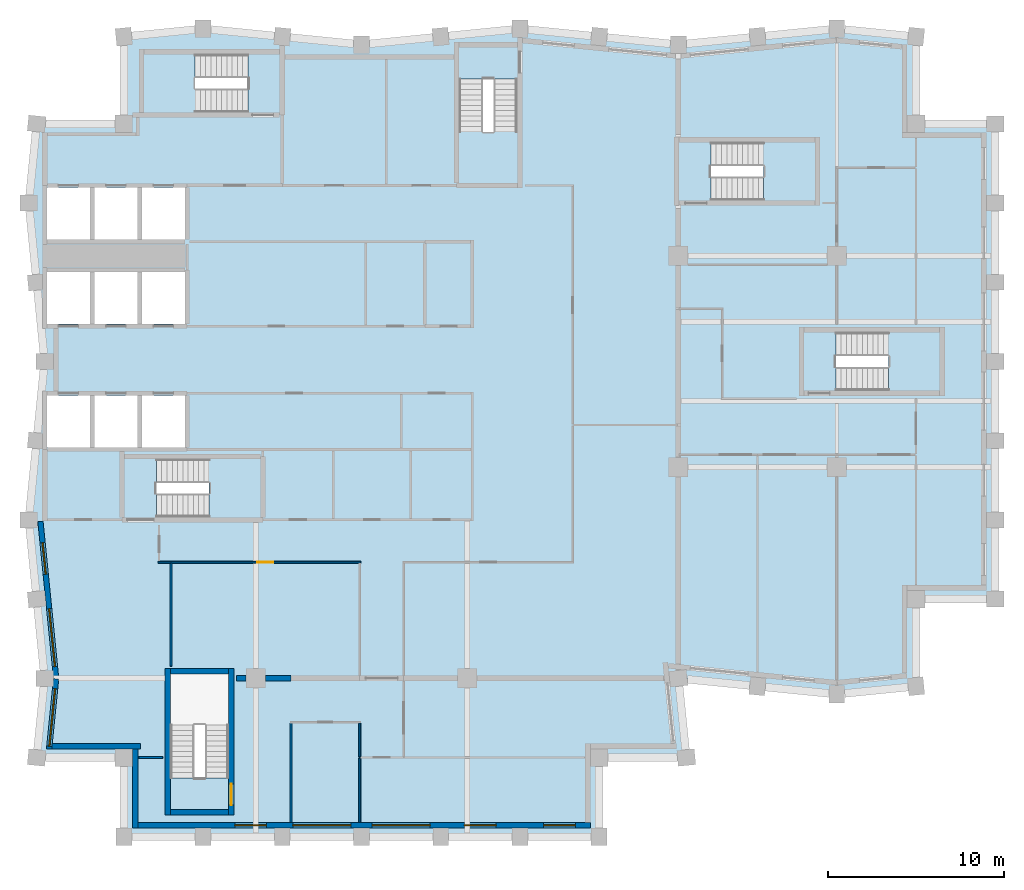
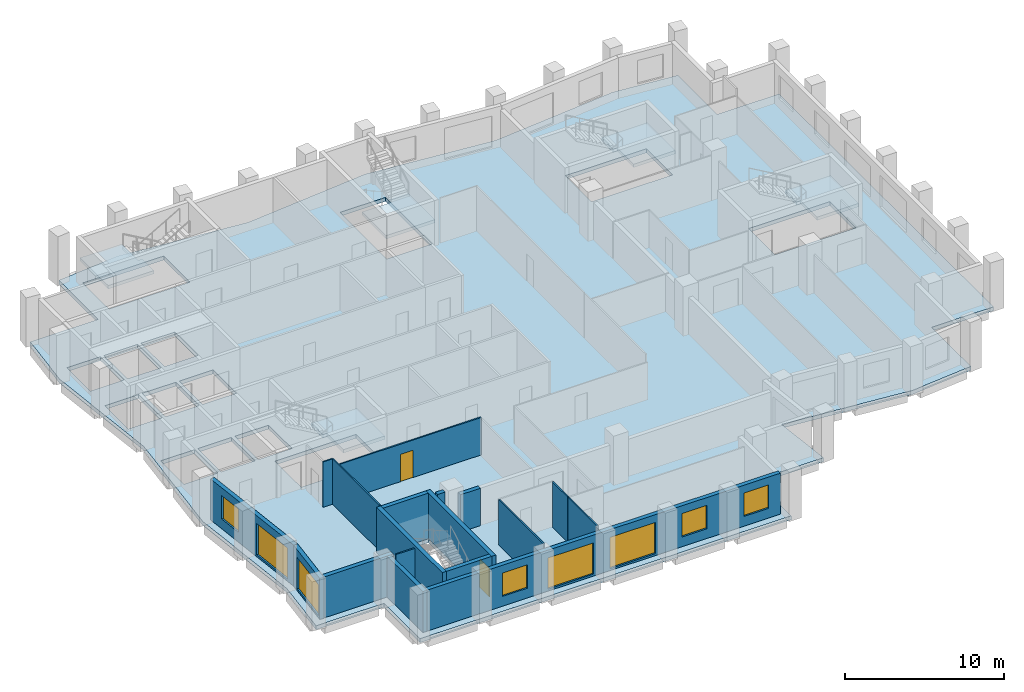
# One storey, part 2 of 8: 18 walls, 8 windows, 6 slabs, 2 doors, 10 openings, 5 elements without a shape of their own.
"""IFC4 building model written with IfcOpenShell, lengths in metres."""

from ifc_helpers import new_model, si_unit, direction, frame, frame_2d, origin, place, context, subcontext, project, spatial, polyline, rectangle, outline, extrude, material, layer, layer_set, type_object, element, fill, aggregate, save


model = new_model("IFC4")

# Units and contexts
model_context = context("Model", 3, precision=1e-05, world=origin(), true_north=direction((0.0, 1.0)))
body_context = subcontext(model_context, "Body", "Model", "MODEL_VIEW")
ifc_project = project(units=[si_unit("LENGTHUNIT", "METRE"), si_unit("AREAUNIT", "SQUARE_METRE"), si_unit("VOLUMEUNIT", "CUBIC_METRE"), si_unit("PLANEANGLEUNIT", "RADIAN"), si_unit("MASSUNIT", "GRAM", prefix="KILO")], contexts=[model_context])

# Site, building, storey
site_placement = place(None, origin())
site = spatial("IfcSite", under=ifc_project, at=site_placement, CompositionType="ELEMENT")
building_placement = place(site_placement, origin())
building = spatial("IfcBuilding", under=site, at=building_placement, Name="Brondeck Convention Tower", CompositionType="ELEMENT")
storey_placement = place(building_placement, frame((0.0, 0.0, 217.800048828125)))
storey = spatial("IfcBuildingStorey", under=building, at=storey_placement, Name="L53", CompositionType="ELEMENT", Elevation=217.800048828125)

# Slab
ifc_material_1 = material(Name="Concrete C35/45", Category="concrete")
ifc_layer_1 = layer(ifc_material_1, 0.300048828125)
ifc_layer_set_1 = layer_set([ifc_layer_1], Name="Composite floor slab 300")
slab_type_1 = type_object("IfcSlabType", Name="Composite floor slab 300", PredefinedType="FLOOR", material=ifc_layer_set_1)
slab_1_placement = place(storey_placement, frame((0.0, 0.0, -0.300048828125)))
element("IfcSlab", 1, at=slab_1_placement, inside=storey, type_object=slab_type_1, Name="STR-SL-L53", PredefinedType="FLOOR", context=body_context, shape_type="SweptSolid", body=[
    extrude(outline(polyline([(4.5, 22.5), (-0.449951171875, 22.5), (0.0, 27.0), (-0.89990234375, 36.0), (0.0, 45.0), (-0.89990234375, 54.0), (-0.449951171875, 58.5), (4.5, 58.5), (4.5, 63.449951171875), (9.0, 63.89990234375), (18.0, 63.0), (27.0, 63.89990234375), (36.0, 63.0), (45.0, 63.89990234375), (49.5, 63.449951171875), (49.5, 58.5), (54.0, 58.5), (54.0, 31.5), (49.5, 31.5), (49.5, 26.550048828125), (45.0, 26.10009765625), (36.0, 27.0), (36.449951171875, 22.5), (31.5, 22.5), (31.5, 18.0), (4.5, 18.0), (4.5, 22.5)]), holes=[polyline([(2.574951171875, 43.074951171875), (0.125, 43.074951171875), (0.125, 40.125), (2.574951171875, 40.125), (2.574951171875, 43.074951171875)]), polyline([(5.27490234375, 40.125), (5.27490234375, 43.074951171875), (2.824951171875, 43.074951171875), (2.824951171875, 40.125), (5.27490234375, 40.125)]), polyline([(7.97509765625, 40.125), (7.97509765625, 43.074951171875), (5.52490234375, 43.074951171875), (5.52490234375, 40.125), (7.97509765625, 40.125)]), polyline([(2.574951171875, 47.125), (2.574951171875, 50.074951171875), (0.125, 50.074951171875), (0.125, 47.125), (2.574951171875, 47.125)]), polyline([(5.27490234375, 47.125), (5.27490234375, 50.074951171875), (2.824951171875, 50.074951171875), (2.824951171875, 47.125), (5.27490234375, 47.125)]), polyline([(7.97509765625, 47.125), (7.97509765625, 50.074951171875), (5.52490234375, 50.074951171875), (5.52490234375, 47.125), (7.97509765625, 47.125)]), polyline([(2.574951171875, 51.925048828125), (2.574951171875, 54.875), (0.125, 54.875), (0.125, 51.925048828125), (2.574951171875, 51.925048828125)]), polyline([(5.27490234375, 51.925048828125), (5.27490234375, 54.875), (2.824951171875, 54.875), (2.824951171875, 51.925048828125), (5.27490234375, 51.925048828125)]), polyline([(10.447998046875, 27.248046875), (7.152099609375, 27.248046875), (7.152099609375, 21.35205078125), (10.447998046875, 21.35205078125), (10.447998046875, 27.248046875)]), polyline([(12.248046875, 36.152099609375), (12.248046875, 39.447998046875), (6.35205078125, 39.447998046875), (6.35205078125, 36.152099609375), (12.248046875, 36.152099609375)]), polyline([(50.847900390625, 43.35205078125), (50.847900390625, 46.64794921875), (44.951904296875, 46.64794921875), (44.951904296875, 43.35205078125), (50.847900390625, 43.35205078125)]), polyline([(7.97509765625, 51.925048828125), (7.97509765625, 54.875), (5.52490234375, 54.875), (5.52490234375, 51.925048828125), (7.97509765625, 51.925048828125)]), polyline([(43.748046875, 54.152099609375), (43.748046875, 57.447998046875), (37.85205078125, 57.447998046875), (37.85205078125, 54.152099609375), (43.748046875, 54.152099609375)]), polyline([(23.552001953125, 55.152099609375), (26.847900390625, 55.152099609375), (26.847900390625, 61.048095703125), (23.552001953125, 61.048095703125), (23.552001953125, 55.152099609375)]), polyline([(5.652099609375, 62.447998046875), (5.652099609375, 59.152099609375), (11.548095703125, 59.152099609375), (11.548095703125, 62.447998046875), (5.652099609375, 62.447998046875)])]), origin(), (0.0, 0.0, 1.0), 0.300048828125),
])

# Stair, slab
ifc_material_2 = material(Name="Precast concrete C50/60", Category="concrete")
stair_type = type_object("IfcStairType", Name="Core stair 22 risers 172.73 mm riser 300 mm going 1350 wide", PredefinedType="HALF_TURN_STAIR", material=ifc_material_2)
stair_1_placement = place(storey_placement, origin())
stair_1 = element("IfcStair", 2, at=stair_1_placement, inside=storey, type_object=stair_type, Name="ST-1 L53 stair", PredefinedType="HALF_TURN_STAIR")
ifc_layer_2 = layer(ifc_material_2, 0.25)
ifc_layer_set_2 = layer_set([ifc_layer_2], Name="Core stair landing 250 Precast concrete C50/60")
slab_type_2 = type_object("IfcSlabType", Name="Core stair landing 250 Precast concrete C50/60", PredefinedType="LANDING", material=ifc_layer_set_2)
slab_2_placement = place(storey_placement, frame((0.0, 0.0, 1.64990234375)))
slab_2 = element("IfcSlab", 3, at=slab_2_placement, type_object=slab_type_2, Name="ST-1 landing 1", PredefinedType="LANDING", context=body_context, shape_type="SweptSolid", body=[
    extrude(outline(polyline([(9.347900390625, 37.5), (9.35009765625, 37.5), (9.35009765625, 38.10009765625), (9.050048828125, 38.10009765625), (9.050048828125, 39.570068359375), (12.3701171875, 39.570068359375), (12.3701171875, 36.030029296875), (9.347900390625, 36.030029296875), (9.347900390625, 37.5)])), origin(), (0.0, 0.0, 1.0), 0.25),
])
aggregate(stair_1, [slab_2])

stair_2_placement = place(storey_placement, origin())
stair_2 = element("IfcStair", 4, at=stair_2_placement, inside=storey, type_object=stair_type, Name="ST-2 L53 stair", PredefinedType="HALF_TURN_STAIR")
slab_3_placement = place(storey_placement, frame((0.0, 0.0, 1.64990234375)))
slab_3 = element("IfcSlab", 5, at=slab_3_placement, type_object=slab_type_2, Name="ST-2 landing 1", PredefinedType="LANDING", context=body_context, shape_type="SweptSolid", body=[
    extrude(outline(polyline([(23.429931640625, 58.052001953125), (24.89990234375, 58.052001953125), (24.89990234375, 58.050048828125), (25.5, 58.050048828125), (25.5, 58.35009765625), (26.969970703125, 58.35009765625), (26.969970703125, 55.030029296875), (23.429931640625, 55.030029296875), (23.429931640625, 58.052001953125)])), origin(), (0.0, 0.0, 1.0), 0.25),
])
aggregate(stair_2, [slab_3])

stair_3_placement = place(storey_placement, origin())
stair_3 = element("IfcStair", 6, at=stair_3_placement, inside=storey, type_object=stair_type, Name="ST-3 L53 stair", PredefinedType="HALF_TURN_STAIR")
slab_4_placement = place(storey_placement, frame((0.0, 0.0, 1.64990234375)))
slab_4 = element("IfcSlab", 7, at=slab_4_placement, type_object=slab_type_2, Name="ST-3 landing 1", PredefinedType="LANDING", context=body_context, shape_type="SweptSolid", body=[
    extrude(outline(polyline([(8.85009765625, 60.5), (8.85009765625, 59.030029296875), (5.530029296875, 59.030029296875), (5.530029296875, 62.570068359375), (8.552001953125, 62.570068359375), (8.552001953125, 61.10009765625), (8.550048828125, 61.10009765625), (8.550048828125, 60.5), (8.85009765625, 60.5)])), origin(), (0.0, 0.0, 1.0), 0.25),
])
aggregate(stair_3, [slab_4])

stair_4_placement = place(storey_placement, origin())
stair_4 = element("IfcStair", 8, at=stair_4_placement, inside=storey, type_object=stair_type, Name="ST-AE L53 stair", PredefinedType="HALF_TURN_STAIR")
slab_5_placement = place(storey_placement, frame((0.0, 0.0, 1.64990234375)))
slab_5 = element("IfcSlab", 9, at=slab_5_placement, type_object=slab_type_2, Name="ST-AE landing 1", PredefinedType="LANDING", context=body_context, shape_type="SweptSolid", body=[
    extrude(outline(polyline([(40.847900390625, 55.5), (40.85009765625, 55.5), (40.85009765625, 56.10009765625), (40.550048828125, 56.10009765625), (40.550048828125, 57.570068359375), (43.8701171875, 57.570068359375), (43.8701171875, 54.030029296875), (40.847900390625, 54.030029296875), (40.847900390625, 55.5)])), origin(), (0.0, 0.0, 1.0), 0.25),
])
aggregate(stair_4, [slab_5])

stair_5_placement = place(storey_placement, origin())
stair_5 = element("IfcStair", 10, at=stair_5_placement, inside=storey, type_object=stair_type, Name="ST-AF L53 stair", PredefinedType="HALF_TURN_STAIR")
slab_6_placement = place(storey_placement, frame((0.0, 0.0, 1.64990234375)))
slab_6 = element("IfcSlab", 11, at=slab_6_placement, type_object=slab_type_2, Name="ST-AF landing 1", PredefinedType="LANDING", context=body_context, shape_type="SweptSolid", body=[
    extrude(outline(polyline([(47.947998046875, 44.699951171875), (47.949951171875, 44.699951171875), (47.949951171875, 45.300048828125), (47.64990234375, 45.300048828125), (47.64990234375, 46.77001953125), (50.969970703125, 46.77001953125), (50.969970703125, 43.22998046875), (47.947998046875, 43.22998046875), (47.947998046875, 44.699951171875)])), origin(), (0.0, 0.0, 1.0), 0.25),
])
aggregate(stair_5, [slab_6])

# Walls
ifc_material_3 = material(Name="Concrete compartment wall C30/37", Category="concrete")
ifc_layer_3 = layer(ifc_material_3, 0.300048828125)
ifc_layer_set_3 = layer_set([ifc_layer_3], Name="Compartment wall 300")
wall_type_1 = type_object("IfcWallType", Name="Compartment wall 300", PredefinedType="PARTITIONING", material=ifc_layer_set_3)
wall_1_placement = place(storey_placement, frame((10.89990234375, 27.0, 0.0), z_axis=(0.0, 0.0, 1.0), x_axis=(1.0, 0.0, 0.0)))
element("IfcWall", 12, at=wall_1_placement, inside=storey, type_object=wall_type_1, Name="FLR-L53-W013", PredefinedType="PARTITIONING", context=body_context, shape_type="SweptSolid", body=[
    extrude(rectangle(XDim=0.545166015625, YDim=0.300048828125, at=frame_2d((0.2724609375, 0.0))), origin(), (0.0, 0.0, 1.0), 3.47998046875),
])
wall_2_placement = place(storey_placement, frame((12.554931640625, 27.0, 0.0), z_axis=(0.0, 0.0, 1.0), x_axis=(1.0, 0.0, 0.0)))
element("IfcWall", 13, at=wall_2_placement, inside=storey, type_object=wall_type_1, Name="FLR-L53-W014", PredefinedType="PARTITIONING", context=body_context, shape_type="SweptSolid", body=[
    extrude(rectangle(XDim=1.445068359375, YDim=0.300048828125, at=frame_2d((0.72265625, 0.0))), origin(), (0.0, 0.0, 1.0), 2.8798828125),
])

# Wall, openings, windows
ifc_material_4 = material(Name="Precast concrete C50/60 bronze finish", Category="concrete")
ifc_layer_4 = layer(ifc_material_4, 0.070068359375, Name="Bronze precast facing")
ifc_material_5 = material(Name="Mineral wool")
ifc_layer_5 = layer(ifc_material_5, 0.159912109375, Name="Insulation")
ifc_layer_6 = layer(ifc_material_1, 0.070068359375, Name="Backing")
ifc_layer_set_4 = layer_set([ifc_layer_4, ifc_layer_5, ifc_layer_6], Name="External infill wall, precast concrete C50/60 bronze facing")
wall_type_2 = type_object("IfcWallType", Name="External infill wall, precast concrete C50/60 bronze facing", PredefinedType="SOLIDWALL", material=ifc_layer_set_4)
wall_3_placement = place(storey_placement, frame((31.0, 18.64990234375, 0.0), z_axis=(0.0, 0.0, 1.0), x_axis=(-1.0, 0.0, 0.0)))
wall_3 = element("IfcWall", 14, at=wall_3_placement, inside=storey, type_object=wall_type_2, Name="ENV-EW-L53-P2-B-S18-01", PredefinedType="SOLIDWALL", context=body_context, shape_type="SweptSolid", body=[
    extrude(rectangle(XDim=25.699951171875, YDim=0.300048828125, at=frame_2d((12.85009765625, 0.0))), origin(), (0.0, 0.0, 1.0), 3.14990234375),
])
opening_1_placement = place(wall_3_placement, frame((0.85009765625, 0.0, 0.75)))
opening_1 = element("IfcOpeningElement", 15, at=opening_1_placement, cuts=wall_3, Name="Opening W10", PredefinedType="OPENING", context=body_context, shape_type="SweptSolid", body=[
    extrude(rectangle(XDim=1.800048828125, YDim=1.800048828125, at=frame_2d((0.89990234375, 0.89990234375))), frame((0.0, 0.159912109375, 0.0), z_axis=(0.0, -1.0, 0.0), x_axis=(1.0, 0.0, 0.0)), (0.0, 0.0, 1.0), 0.320068359375),
])
opening_2_placement = place(wall_3_placement, frame((5.35009765625, 0.0, 0.75)))
opening_2 = element("IfcOpeningElement", 16, at=opening_2_placement, cuts=wall_3, Name="Opening W10", PredefinedType="OPENING", context=body_context, shape_type="SweptSolid", body=[
    extrude(rectangle(XDim=1.800048828125, YDim=1.800048828125, at=frame_2d((0.89990234375, 0.89990234375))), frame((0.0, 0.159912109375, 0.0), z_axis=(0.0, -1.0, 0.0), x_axis=(1.0, 0.0, 0.0)), (0.0, 0.0, 1.0), 0.320068359375),
])
opening_3_placement = place(wall_3_placement, frame((9.10009765625, 0.0, 0.14990234375)))
opening_3 = element("IfcOpeningElement", 17, at=opening_3_placement, cuts=wall_3, Name="Opening W9", PredefinedType="OPENING", context=body_context, shape_type="SweptSolid", body=[
    extrude(rectangle(XDim=3.300048828125, YDim=2.39990234375, at=frame_2d((1.64990234375, 1.199951171875))), frame((0.0, 0.159912109375, 0.0), z_axis=(0.0, -1.0, 0.0), x_axis=(1.0, 0.0, 0.0)), (0.0, 0.0, 1.0), 0.320068359375),
])
opening_4_placement = place(wall_3_placement, frame((13.60009765625, 0.0, 0.14990234375)))
opening_4 = element("IfcOpeningElement", 18, at=opening_4_placement, cuts=wall_3, Name="Opening W9", PredefinedType="OPENING", context=body_context, shape_type="SweptSolid", body=[
    extrude(rectangle(XDim=3.300048828125, YDim=2.39990234375, at=frame_2d((1.64990234375, 1.199951171875))), frame((0.0, 0.159912109375, 0.0), z_axis=(0.0, -1.0, 0.0), x_axis=(1.0, 0.0, 0.0)), (0.0, 0.0, 1.0), 0.320068359375),
])
opening_5_placement = place(wall_3_placement, frame((18.39990234375, 0.0, 0.75)))
opening_5 = element("IfcOpeningElement", 19, at=opening_5_placement, cuts=wall_3, Name="Opening W10", PredefinedType="OPENING", context=body_context, shape_type="SweptSolid", body=[
    extrude(rectangle(XDim=1.800048828125, YDim=1.800048828125, at=frame_2d((0.89990234375, 0.89990234375))), frame((0.0, 0.159912109375, 0.0), z_axis=(0.0, -1.0, 0.0), x_axis=(1.0, 0.0, 0.0)), (0.0, 0.0, 1.0), 0.320068359375),
])
ifc_material_6 = material(Name="Bronze tinted double glazing", Category="glass")
window_type_1 = type_object("IfcWindowType", Name="Glazed flute window, bronze tinted", PartitioningType="SINGLE_PANEL", PredefinedType="WINDOW", material=ifc_material_6)
window_1_placement = place(opening_3_placement, origin())
window_1 = element("IfcWindow", 20, at=window_1_placement, inside=storey, type_object=window_type_1, Name="ENV-WN-L53-P2-B-S18-04", OverallHeight=2.39990234375, OverallWidth=3.300048828125, PartitioningType="SINGLE_PANEL", PredefinedType="WINDOW", context=body_context, shape_type="SweptSolid", body=[
    extrude(rectangle(XDim=3.300048828125, YDim=2.39990234375, at=frame_2d((1.64990234375, 1.199951171875))), frame((0.0, 0.030029296875, 0.0), z_axis=(0.0, -1.0, 0.0), x_axis=(1.0, 0.0, 0.0)), (0.0, 0.0, 1.0), 0.06005859375),
])
fill(opening_3, window_1)
window_2_placement = place(opening_4_placement, origin())
window_2 = element("IfcWindow", 21, at=window_2_placement, inside=storey, type_object=window_type_1, Name="ENV-WN-L53-P2-B-S18-03", OverallHeight=2.39990234375, OverallWidth=3.300048828125, PartitioningType="SINGLE_PANEL", PredefinedType="WINDOW", context=body_context, shape_type="SweptSolid", body=[
    extrude(rectangle(XDim=3.300048828125, YDim=2.39990234375, at=frame_2d((1.64990234375, 1.199951171875))), frame((0.0, 0.030029296875, 0.0), z_axis=(0.0, -1.0, 0.0), x_axis=(1.0, 0.0, 0.0)), (0.0, 0.0, 1.0), 0.06005859375),
])
fill(opening_4, window_2)
window_type_2 = type_object("IfcWindowType", Name="Punched window, bronze tinted", PartitioningType="SINGLE_PANEL", PredefinedType="WINDOW", material=ifc_material_6)
window_3_placement = place(opening_1_placement, origin())
window_3 = element("IfcWindow", 22, at=window_3_placement, inside=storey, type_object=window_type_2, Name="ENV-WN-L53-P2-B-S18-06", OverallHeight=1.800048828125, OverallWidth=1.800048828125, PartitioningType="SINGLE_PANEL", PredefinedType="WINDOW", context=body_context, shape_type="SweptSolid", body=[
    extrude(rectangle(XDim=1.800048828125, YDim=1.800048828125, at=frame_2d((0.89990234375, 0.89990234375))), frame((0.0, 0.030029296875, 0.0), z_axis=(0.0, -1.0, 0.0), x_axis=(1.0, 0.0, 0.0)), (0.0, 0.0, 1.0), 0.06005859375),
])
fill(opening_1, window_3)
window_4_placement = place(opening_2_placement, origin())
window_4 = element("IfcWindow", 23, at=window_4_placement, inside=storey, type_object=window_type_2, Name="ENV-WN-L53-P2-B-S18-05", OverallHeight=1.800048828125, OverallWidth=1.800048828125, PartitioningType="SINGLE_PANEL", PredefinedType="WINDOW", context=body_context, shape_type="SweptSolid", body=[
    extrude(rectangle(XDim=1.800048828125, YDim=1.800048828125, at=frame_2d((0.89990234375, 0.89990234375))), frame((0.0, 0.030029296875, 0.0), z_axis=(0.0, -1.0, 0.0), x_axis=(1.0, 0.0, 0.0)), (0.0, 0.0, 1.0), 0.06005859375),
])
fill(opening_2, window_4)
window_5_placement = place(opening_5_placement, origin())
window_5 = element("IfcWindow", 24, at=window_5_placement, inside=storey, type_object=window_type_2, Name="ENV-WN-L53-P2-B-S18-02", OverallHeight=1.800048828125, OverallWidth=1.800048828125, PartitioningType="SINGLE_PANEL", PredefinedType="WINDOW", context=body_context, shape_type="SweptSolid", body=[
    extrude(rectangle(XDim=1.800048828125, YDim=1.800048828125, at=frame_2d((0.89990234375, 0.89990234375))), frame((0.0, 0.030029296875, 0.0), z_axis=(0.0, -1.0, 0.0), x_axis=(1.0, 0.0, 0.0)), (0.0, 0.0, 1.0), 0.06005859375),
])
fill(opening_5, window_5)

wall_4_placement = place(storey_placement, frame((0.65478515625, 26.985107421875, 0.0), z_axis=(0.0, 0.0, 1.0), x_axis=(-0.099509105781, 0.995036651519, 0.0)))
wall_4 = element("IfcWall", 25, at=wall_4_placement, inside=storey, type_object=wall_type_2, Name="ENV-EW-L53-P2-B-W-06", PredefinedType="SOLIDWALL", context=body_context, shape_type="SweptSolid", body=[
    extrude(rectangle(XDim=8.974609375, YDim=0.300048828125, at=frame_2d((4.4873046875, 0.0))), origin(), (0.0, 0.0, 1.0), 3.14990234375),
])
opening_6_placement = place(wall_4_placement, frame((0.691162109375, 0.0, 0.14990234375)))
opening_6 = element("IfcOpeningElement", 26, at=opening_6_placement, cuts=wall_4, Name="Opening W9", PredefinedType="OPENING", context=body_context, shape_type="SweptSolid", body=[
    extrude(rectangle(XDim=3.300048828125, YDim=2.39990234375, at=frame_2d((1.64990234375, 1.199951171875))), frame((0.0, 0.159912109375, 0.0), z_axis=(0.0, -1.0, 0.0), x_axis=(1.0, 0.0, 0.0)), (0.0, 0.0, 1.0), 0.320068359375),
])
opening_7_placement = place(wall_4_placement, frame((5.963623046875, 0.0, 0.75)))
opening_7 = element("IfcOpeningElement", 27, at=opening_7_placement, cuts=wall_4, Name="Opening W10", PredefinedType="OPENING", context=body_context, shape_type="SweptSolid", body=[
    extrude(rectangle(XDim=1.800048828125, YDim=1.800048828125, at=frame_2d((0.89990234375, 0.89990234375))), frame((0.0, 0.159912109375, 0.0), z_axis=(0.0, -1.0, 0.0), x_axis=(1.0, 0.0, 0.0)), (0.0, 0.0, 1.0), 0.320068359375),
])
window_6_placement = place(opening_6_placement, origin())
window_6 = element("IfcWindow", 28, at=window_6_placement, inside=storey, type_object=window_type_1, Name="ENV-WN-L53-P2-B-W-07", OverallHeight=2.39990234375, OverallWidth=3.300048828125, PartitioningType="SINGLE_PANEL", PredefinedType="WINDOW", context=body_context, shape_type="SweptSolid", body=[
    extrude(rectangle(XDim=3.300048828125, YDim=2.39990234375, at=frame_2d((1.64990234375, 1.199951171875))), frame((0.0, 0.030029296875, 0.0), z_axis=(0.0, -1.0, 0.0), x_axis=(1.0, 0.0, 0.0)), (0.0, 0.0, 1.0), 0.06005859375),
])
fill(opening_6, window_6)
window_7_placement = place(opening_7_placement, origin())
window_7 = element("IfcWindow", 29, at=window_7_placement, inside=storey, type_object=window_type_2, Name="ENV-WN-L53-P2-B-W-06", OverallHeight=1.800048828125, OverallWidth=1.800048828125, PartitioningType="SINGLE_PANEL", PredefinedType="WINDOW", context=body_context, shape_type="SweptSolid", body=[
    extrude(rectangle(XDim=1.800048828125, YDim=1.800048828125, at=frame_2d((0.89990234375, 0.89990234375))), frame((0.0, 0.030029296875, 0.0), z_axis=(0.0, -1.0, 0.0), x_axis=(1.0, 0.0, 0.0)), (0.0, 0.0, 1.0), 0.06005859375),
])
fill(opening_7, window_7)

# Wall, opening, window
wall_5_placement = place(storey_placement, frame((0.251708984375, 22.985107421875, 0.0), z_axis=(0.0, 0.0, 1.0), x_axis=(0.09954596771, 0.995032964435, 0.0)))
wall_5 = element("IfcWall", 30, at=wall_5_placement, inside=storey, type_object=wall_type_2, Name="ENV-EW-L53-P2-B-W-08", PredefinedType="SOLIDWALL", context=body_context, shape_type="SweptSolid", body=[
    extrude(rectangle(XDim=4.0048828125, YDim=0.300048828125, at=frame_2d((2.00244140625, 0.0))), origin(), (0.0, 0.0, 1.0), 3.14990234375),
])
opening_8_placement = place(wall_5_placement, frame((0.14990234375, 0.0, 0.14990234375)))
opening_8 = element("IfcOpeningElement", 31, at=opening_8_placement, cuts=wall_5, Name="Opening W9", PredefinedType="OPENING", context=body_context, shape_type="SweptSolid", body=[
    extrude(rectangle(XDim=3.300048828125, YDim=2.39990234375, at=frame_2d((1.64990234375, 1.199951171875))), frame((0.0, 0.159912109375, 0.0), z_axis=(0.0, -1.0, 0.0), x_axis=(1.0, 0.0, 0.0)), (0.0, 0.0, 1.0), 0.320068359375),
])
window_8_placement = place(opening_8_placement, origin())
window_8 = element("IfcWindow", 32, at=window_8_placement, inside=storey, type_object=window_type_1, Name="ENV-WN-L53-P2-B-W-08", OverallHeight=2.39990234375, OverallWidth=3.300048828125, PartitioningType="SINGLE_PANEL", PredefinedType="WINDOW", context=body_context, shape_type="SweptSolid", body=[
    extrude(rectangle(XDim=3.300048828125, YDim=2.39990234375, at=frame_2d((1.64990234375, 1.199951171875))), frame((0.0, 0.030029296875, 0.0), z_axis=(0.0, -1.0, 0.0), x_axis=(1.0, 0.0, 0.0)), (0.0, 0.0, 1.0), 0.06005859375),
])
fill(opening_8, window_8)

# Walls
wall_6_placement = place(storey_placement, frame((5.449951171875, 23.14990234375, 0.0), z_axis=(0.0, 0.0, 1.0), x_axis=(-1.0, 0.0, 0.0)))
element("IfcWall", 33, at=wall_6_placement, inside=storey, type_object=wall_type_2, Name="ENV-EW-L53-P2-NC-SWB18-01", PredefinedType="SOLIDWALL", context=body_context, shape_type="SweptSolid", body=[
    extrude(rectangle(XDim=5.025634765625, YDim=0.300048828125, at=frame_2d((2.5126953125, 0.0))), origin(), (0.0, 0.0, 1.0), 3.14990234375),
])
wall_7_placement = place(storey_placement, frame((5.14990234375, 18.5, 0.0), z_axis=(0.0, 0.0, 1.0), x_axis=(0.0, 1.0, 0.0)))
element("IfcWall", 34, at=wall_7_placement, inside=storey, type_object=wall_type_2, Name="ENV-EW-L53-P2-NC-SWB18-02", PredefinedType="SOLIDWALL", context=body_context, shape_type="SweptSolid", body=[
    extrude(rectangle(XDim=4.5, YDim=0.300048828125, at=frame_2d((2.25, 0.0))), origin(), (0.0, 0.0, 1.0), 3.14990234375),
])
ifc_material_7 = material(Name="Gypsum board partition on steel studs", Category="steel")
ifc_layer_7 = layer(ifc_material_7, 0.10009765625)
ifc_layer_set_5 = layer_set([ifc_layer_7], Name="Room partition 100")
wall_type_3 = type_object("IfcWallType", Name="Room partition 100", PredefinedType="PARTITIONING", material=ifc_layer_set_5)
wall_8_placement = place(storey_placement, frame((17.89990234375, 22.449951171875, 0.0), z_axis=(0.0, 0.0, 1.0), x_axis=(0.0, -1.0, 0.0)))
element("IfcWall", 35, at=wall_8_placement, inside=storey, type_object=wall_type_3, Name="FLR-L53-W001", PredefinedType="PARTITIONING", context=body_context, shape_type="SweptSolid", body=[
    extrude(rectangle(XDim=3.6298828125, YDim=0.10009765625, at=frame_2d((1.81494140625, 0.0))), origin(), (0.0, 0.0, 1.0), 3.47998046875),
])
wall_9_placement = place(storey_placement, frame((5.35009765625, 22.5, 0.0), z_axis=(0.0, 0.0, 1.0), x_axis=(1.0, 0.0, 0.0)))
element("IfcWall", 36, at=wall_9_placement, inside=storey, type_object=wall_type_3, Name="FLR-L53-W002", PredefinedType="PARTITIONING", context=body_context, shape_type="SweptSolid", body=[
    extrude(rectangle(XDim=1.349853515625, YDim=0.10009765625, at=frame_2d((0.6748046875, 0.0))), origin(), (0.0, 0.0, 1.0), 3.47998046875),
])
wall_10_placement = place(storey_placement, frame((17.89990234375, 22.550048828125, 0.0), z_axis=(0.0, 0.0, 1.0), x_axis=(0.0, 1.0, 0.0)))
element("IfcWall", 37, at=wall_10_placement, inside=storey, type_object=wall_type_3, Name="FLR-L53-W006", PredefinedType="PARTITIONING", context=body_context, shape_type="SweptSolid", body=[
    extrude(rectangle(XDim=1.89990234375, YDim=0.10009765625, at=frame_2d((0.949951171875, 0.0))), origin(), (0.0, 0.0, 1.0), 3.47998046875),
])
wall_11_placement = place(storey_placement, frame((14.0, 24.449951171875, 0.0), z_axis=(0.0, 0.0, 1.0), x_axis=(0.0, -1.0, 0.0)))
element("IfcWall", 38, at=wall_11_placement, inside=storey, type_object=wall_type_3, Name="FLR-L53-W009", PredefinedType="PARTITIONING", context=body_context, shape_type="SweptSolid", body=[
    extrude(rectangle(XDim=5.6298828125, YDim=0.10009765625, at=frame_2d((2.81494140625, 0.0))), origin(), (0.0, 0.0, 1.0), 3.47998046875),
])
wall_12_placement = place(storey_placement, frame((7.172119140625, 33.550048828125, 0.0), z_axis=(0.0, 0.0, 1.0), x_axis=(0.0, -1.0, 0.0)))
element("IfcWall", 39, at=wall_12_placement, inside=storey, type_object=wall_type_3, Name="FLR-L53-W024", PredefinedType="PARTITIONING", context=body_context, shape_type="SweptSolid", body=[
    extrude(rectangle(XDim=5.85009765625, YDim=0.10009765625, at=frame_2d((2.925048828125, 0.0))), origin(), (0.0, 0.0, 1.0), 3.47998046875),
])
wall_13_placement = place(storey_placement, frame((7.172119140625, 33.60009765625, 0.0), z_axis=(0.0, 0.0, 1.0), x_axis=(-1.0, 0.0, 0.0)))
element("IfcWall", 40, at=wall_13_placement, inside=storey, type_object=wall_type_3, Name="FLR-L53-W026", PredefinedType="PARTITIONING", context=body_context, shape_type="SweptSolid", body=[
    extrude(rectangle(XDim=0.72216796875, YDim=0.10009765625, at=frame_2d((0.361083984375, 0.0))), origin(), (0.0, 0.0, 1.0), 3.47998046875),
])

# Wall, opening, door
wall_14_placement = place(storey_placement, frame((17.949951171875, 33.60009765625, 0.0), z_axis=(0.0, 0.0, 1.0), x_axis=(-1.0, 0.0, 0.0)))
wall_14 = element("IfcWall", 41, at=wall_14_placement, inside=storey, type_object=wall_type_3, Name="FLR-L53-W027", PredefinedType="PARTITIONING", context=body_context, shape_type="SweptSolid", body=[
    extrude(rectangle(XDim=10.77783203125, YDim=0.10009765625, at=frame_2d((5.388916015625, 0.0))), origin(), (0.0, 0.0, 1.0), 2.8798828125),
])
opening_9_placement = place(wall_14_placement, frame((4.964111328125, 0.0, 0.0)))
opening_9 = element("IfcOpeningElement", 42, at=opening_9_placement, cuts=wall_14, Name="Opening OF-L-012", PredefinedType="OPENING", context=body_context, shape_type="SweptSolid", body=[
    extrude(rectangle(XDim=0.89990234375, YDim=2.10009765625, at=frame_2d((0.449951171875, 1.050048828125))), frame((0.0, 0.06005859375, 0.0), z_axis=(0.0, -1.0, 0.0), x_axis=(1.0, 0.0, 0.0)), (0.0, 0.0, 1.0), 0.1201171875),
])
ifc_material_8 = material(Name="Solid timber door leaf", Category="wood")
door_type_1 = type_object("IfcDoorType", Name="Single door 900", OperationType="NOTDEFINED", PredefinedType="DOOR", material=ifc_material_8)
door_1_placement = place(opening_9_placement, origin())
door_1 = element("IfcDoor", 43, at=door_1_placement, inside=storey, type_object=door_type_1, Name="Door OF-L-012", OperationType="SINGLE_SWING_LEFT", OverallHeight=2.10009765625, OverallWidth=0.89990234375, PredefinedType="DOOR", context=body_context, shape_type="SweptSolid", body=[
    extrude(rectangle(XDim=0.89990234375, YDim=2.10009765625, at=frame_2d((0.449951171875, 1.050048828125))), frame((0.0, 0.02490234375, 0.0), z_axis=(0.0, -1.0, 0.0), x_axis=(1.0, 0.0, 0.0)), (0.0, 0.0, 1.0), 0.050048828125),
])
fill(opening_9, door_1)

# Walls
ifc_material_9 = material(Name="Concrete C50/60", Category="concrete")
ifc_layer_8 = layer(ifc_material_9, 0.300048828125)
ifc_layer_set_6 = layer_set([ifc_layer_8], Name="Stair enclosure wall 300 Concrete C50/60")
wall_type_4 = type_object("IfcWallType", Name="Stair enclosure wall 300 Concrete C50/60", PredefinedType="SHEAR", material=ifc_layer_set_6)
for number, where, z_axis, x_axis, name in (
    (44, (7.14990234375, 19.39990234375, 0.0), (0.0, 0.0, 1.0), (1.0, 0.0, 0.0), "L53 core wall"),
    (45, (7.14990234375, 27.39990234375, 0.0), (0.0, 0.0, 1.0), (1.0, 0.0, 0.0), "L53 core wall"),
):
    element("IfcWall", number, at=place(storey_placement, frame(where, z_axis=z_axis, x_axis=x_axis)), inside=storey, type_object=wall_type_4, Name=name, PredefinedType="SHEAR", context=body_context, shape_type="SweptSolid", body=[
        extrude(rectangle(XDim=3.300048828125, YDim=0.300048828125, at=frame_2d((1.64990234375, 0.0))), origin(), (0.0, 0.0, 1.0), 3.5),
    ])
wall_15_placement = place(storey_placement, frame((7.0, 19.25, 0.0), z_axis=(0.0, 0.0, 1.0), x_axis=(0.0, 1.0, 0.0)))
element("IfcWall", 46, at=wall_15_placement, inside=storey, type_object=wall_type_4, Name="L53 core wall", PredefinedType="SHEAR", context=body_context, shape_type="SweptSolid", body=[
    extrude(rectangle(XDim=8.300048828125, YDim=0.300048828125, at=frame_2d((4.14990234375, 0.0))), origin(), (0.0, 0.0, 1.0), 3.5),
])

# Wall, opening, door
wall_16_placement = place(storey_placement, frame((10.60009765625, 19.25, 0.0), z_axis=(0.0, 0.0, 1.0), x_axis=(0.0, 1.0, 0.0)))
wall_16 = element("IfcWall", 47, at=wall_16_placement, inside=storey, type_object=wall_type_4, Name="L53 core wall", PredefinedType="SHEAR", context=body_context, shape_type="SweptSolid", body=[
    extrude(rectangle(XDim=8.300048828125, YDim=0.300048828125, at=frame_2d((4.14990234375, 0.0))), origin(), (0.0, 0.0, 1.0), 3.5),
])
opening_10_placement = place(wall_16_placement, frame((0.550048828125, 0.0, 0.0)))
opening_10 = element("IfcOpeningElement", 48, at=opening_10_placement, cuts=wall_16, Name="Opening C29-18", PredefinedType="OPENING", context=body_context, shape_type="SweptSolid", body=[
    extrude(rectangle(XDim=1.199951171875, YDim=2.199951171875, at=frame_2d((0.60009765625, 1.10009765625))), frame((0.0, 0.159912109375, 0.0), z_axis=(0.0, -1.0, 0.0), x_axis=(1.0, 0.0, 0.0)), (0.0, 0.0, 1.0), 0.320068359375),
])
ifc_material_10 = material(Name="Steel fire door", Category="steel")
door_type_2 = type_object("IfcDoorType", Name="Stair door 1200x2200 EI 90", OperationType="NOTDEFINED", PredefinedType="DOOR", material=ifc_material_10)
door_2_placement = place(opening_10_placement, origin())
door_2 = element("IfcDoor", 49, at=door_2_placement, inside=storey, type_object=door_type_2, Name="L53 Stair door ST-BE", OperationType="SINGLE_SWING_RIGHT", OverallHeight=2.199951171875, OverallWidth=1.199951171875, PredefinedType="DOOR", context=body_context, shape_type="SweptSolid", body=[
    extrude(rectangle(XDim=1.199951171875, YDim=2.199951171875, at=frame_2d((0.60009765625, 1.10009765625))), frame((0.0, 0.02490234375, 0.0), z_axis=(0.0, -1.0, 0.0), x_axis=(1.0, 0.0, 0.0)), (0.0, 0.0, 1.0), 0.050048828125),
])
fill(opening_10, door_2)

save(model, "model.ifc")
